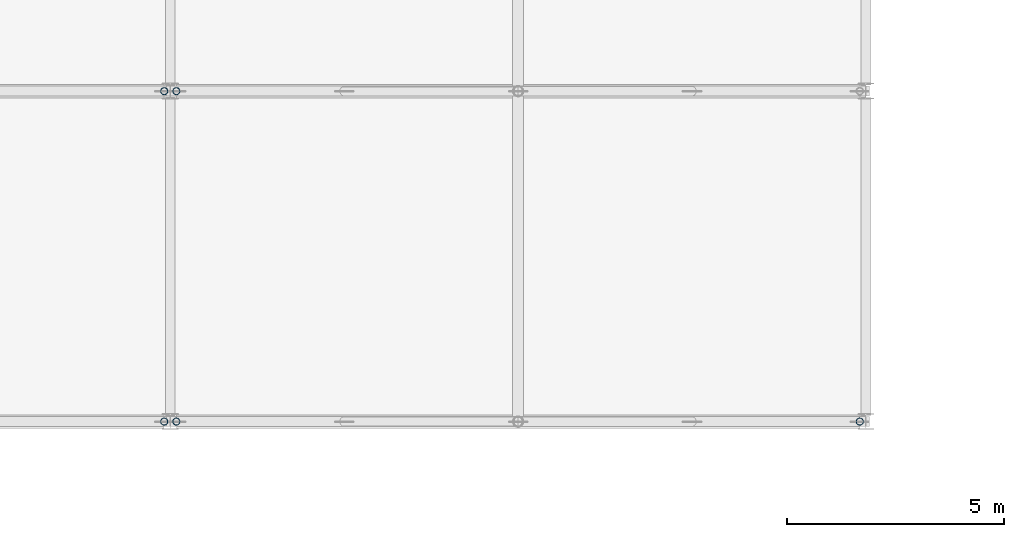
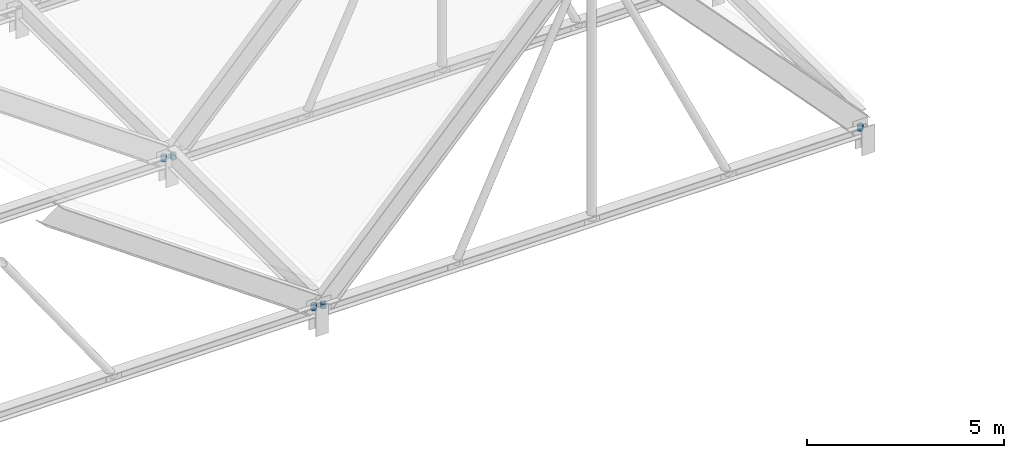
# One storey, part 56 of 85: 5 members.
"""IFC4 building model written with IfcOpenShell, lengths in metres."""

from ifc_helpers import new_model, si_unit, direction, frame, origin, origin_2d, place, context, subcontext, project, spatial, hollow_circle, extrude, material, material_profile, profile_set, type_object, element, save


model = new_model("IFC4")

# Units and contexts
model_context = context("Model", 3, precision=1e-05, world=origin(), true_north=direction((0.0, 1.0)))
body_context = subcontext(model_context, "Body", "Model", "MODEL_VIEW")
ifc_project = project(units=[si_unit("LENGTHUNIT", "METRE"), si_unit("AREAUNIT", "SQUARE_METRE"), si_unit("VOLUMEUNIT", "CUBIC_METRE"), si_unit("PLANEANGLEUNIT", "RADIAN"), si_unit("MASSUNIT", "GRAM", prefix="KILO")], contexts=[model_context])

# Site, building, storey
site_placement = place(None, origin())
site = spatial("IfcSite", under=ifc_project, at=site_placement, CompositionType="ELEMENT")
building_placement = place(site_placement, origin())
building = spatial("IfcBuilding", under=site, at=building_placement, Name="Zulena Civic Courthouse", CompositionType="ELEMENT")
storey_placement = place(building_placement, frame((0.0, 0.0, 25.199951171875)))
storey = spatial("IfcBuildingStorey", under=building, at=storey_placement, Name="L05", CompositionType="ELEMENT", Elevation=25.199951171875)

# Members
ifc_material = material(Name="Steel ASTM A500 Grade C", Category="steel")
ifc_material_profile = material_profile(ifc_material, hollow_circle(Radius=0.083984375, WallThickness=0.00732421875, at=origin_2d()), Name="HSS6.625X0.312")
ifc_profile_set = profile_set([ifc_material_profile], Name="Steel ASTM A500 Grade C")
member_type = type_object("IfcMemberType", Name="RoofWeb_CHS6", PredefinedType="USERDEFINED", material=ifc_profile_set)
for number, where, z_axis, x_axis, name in (
    (1, (107.860107421875, 15.199951171875, 0.536376953125), (0.0, 0.0, 1.0), (1.0, 0.0, 0.0), "mem:fold:postE:03:15.2"),
    (2, (107.860107421875, 22.800048828125, 0.536376953125), (0.0, 0.0, 1.0), (1.0, 0.0, 0.0), "mem:fold:postE:03:22.8"),
):
    element("IfcMember", number, at=place(storey_placement, frame(where, z_axis=z_axis, x_axis=x_axis)), inside=storey, type_object=member_type, Name=name, ObjectType="ROOF TRUSS", PredefinedType="USERDEFINED", context=body_context, shape_type="SweptSolid", body=[
        extrude(hollow_circle(Radius=0.083984375, WallThickness=0.00732421875, at=origin_2d()), origin(), (0.0, 0.0, 1.0), 0.16015625),
    ])
for number, where, z_axis, x_axis, name in (
    (3, (108.139892578125, 15.199951171875, 0.496337890625), (0.0, 0.0, 1.0), (1.0, 0.0, 0.0), "mem:fold:postW:04:15.2"),
    (4, (123.860107421875, 15.199951171875, 0.496337890625), (0.0, 0.0, 1.0), (1.0, 0.0, 0.0), "mem:fold:postE:04:15.2"),
    (5, (108.139892578125, 22.800048828125, 0.496337890625), (0.0, 0.0, 1.0), (1.0, 0.0, 0.0), "mem:fold:postW:04:22.8"),
):
    element("IfcMember", number, at=place(storey_placement, frame(where, z_axis=z_axis, x_axis=x_axis)), inside=storey, type_object=member_type, Name=name, ObjectType="ROOF TRUSS", PredefinedType="USERDEFINED", context=body_context, shape_type="SweptSolid", body=[
        extrude(hollow_circle(Radius=0.083984375, WallThickness=0.00732421875, at=origin_2d()), origin(), (0.0, 0.0, 1.0), 0.159912109375),
    ])

save(model, "model.ifc")
